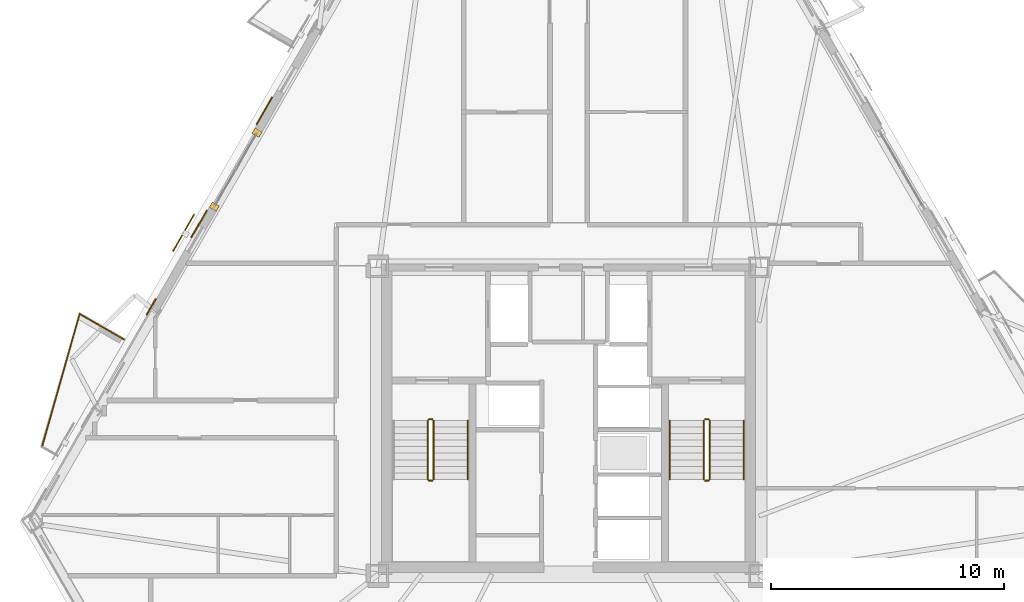
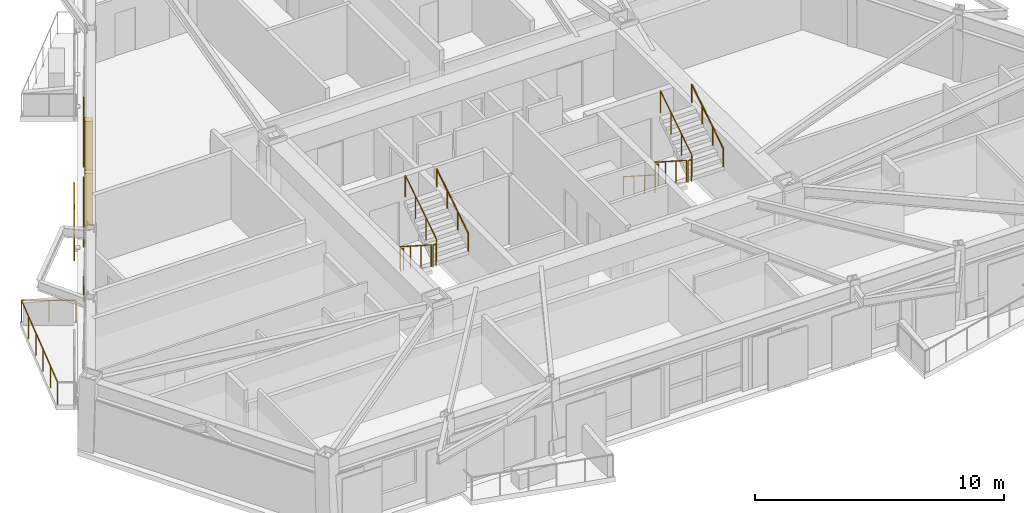
# One storey, part 14 of 16: 13 railings, 5 coverings, 1 shading device.
"""IFC4 building model written with IfcOpenShell, lengths in metres."""

from ifc_helpers import new_model, si_unit, direction, frame, origin, origin_2d, place, context, subcontext, project, spatial, rectangle, circle, extrude, material, layer, layer_set, type_object, element, save


model = new_model("IFC4")

# Units and contexts
model_context = context("Model", 3, precision=1e-05, world=origin(), true_north=direction((0.0, 1.0)))
body_context = subcontext(model_context, "Body", "Model", "MODEL_VIEW")
ifc_project = project(units=[si_unit("LENGTHUNIT", "METRE"), si_unit("AREAUNIT", "SQUARE_METRE"), si_unit("VOLUMEUNIT", "CUBIC_METRE"), si_unit("PLANEANGLEUNIT", "RADIAN"), si_unit("MASSUNIT", "GRAM", prefix="KILO")], contexts=[model_context])

# Site, building, storey
site_placement = place(None, origin())
site = spatial("IfcSite", under=ifc_project, at=site_placement, CompositionType="ELEMENT")
building_placement = place(site_placement, origin())
building = spatial("IfcBuilding", under=site, at=building_placement, Name="Oramaril Tower", CompositionType="ELEMENT")
storey_placement = place(building_placement, frame((0.0, 0.0, 115.800048828125)))
storey = spatial("IfcBuildingStorey", under=building, at=storey_placement, Name="L30", CompositionType="ELEMENT", Elevation=115.800048828125)

# Coverings
ifc_material_1 = material(Name="Warm Cream Limestone", Category="masonry")
ifc_layer = layer(ifc_material_1, 0.050048828125)
ifc_layer_set = layer_set([ifc_layer], Name="CVT-CLD")
covering_type = type_object("IfcCoveringType", Name="CVT-CLD", PredefinedType="CLADDING", material=ifc_layer_set)
for number, where, z_axis, x_axis, name in (
    (1, (24.15087890625, 29.920166015625, 0.0), (0.0, 0.0, 1.0), (-0.5, -0.866025403784, 0.0), "L30 Curtain Wall Limestone Jamb Closure"),
    (2, (22.32080078125, 26.75048828125, 0.0), (0.0, 0.0, 1.0), (-0.5, -0.866025403784, 0.0), "L30 Curtain Wall Limestone Jamb Closure"),
):
    element("IfcCovering", number, at=place(storey_placement, frame(where, z_axis=z_axis, x_axis=x_axis)), inside=storey, type_object=covering_type, Name=name, PredefinedType="CLADDING", context=body_context, shape_type="SweptSolid", body=[
        extrude(rectangle(XDim=0.260009765625, YDim=0.340087890625, at=origin_2d()), origin(), (0.0, 0.0, 1.0), 2.577880859375),
    ])
for number, where, z_axis, x_axis, name in (
    (3, (24.46875, 30.856689453125, 0.0400390625), (0.0, 0.0, 1.0), (-0.4999984885, -0.866026276448, 0.0), "L30 Warm Cream Limestone Cladding"),
    (4, (21.668701171875, 26.007080078125, 0.0400390625), (0.0, 0.0, 1.0), (-0.4999984885, -0.866026276448, 0.0), "L30 Warm Cream Limestone Cladding"),
):
    element("IfcCovering", number, at=place(storey_placement, frame(where, z_axis=z_axis, x_axis=x_axis)), inside=storey, type_object=covering_type, Name=name, PredefinedType="CLADDING", context=body_context, shape_type="SweptSolid", body=[
        extrude(rectangle(XDim=1.35009765625, YDim=0.050048828125, at=origin_2d()), origin(), (0.0, 0.0, 1.0), 2.498046875),
    ])
covering_placement = place(storey_placement, frame((19.61962890625, 22.457763671875, 0.0400390625), z_axis=(0.0, 0.0, 1.0), x_axis=(-0.4999984885, -0.866026276448, 0.0)))
element("IfcCovering", 5, at=covering_placement, inside=storey, type_object=covering_type, Name="L30 Warm Cream Limestone Spandrel Cladding", PredefinedType="CLADDING", context=body_context, shape_type="SweptSolid", body=[
    extrude(rectangle(XDim=0.800048828125, YDim=0.050048828125, at=origin_2d()), origin(), (0.0, 0.0, 1.0), 0.679931640625),
])

# Railings
ifc_material_2 = material(Name="Stainless Steel 316L", Category="steel")
railing_type_1 = type_object("IfcRailingType", Name="RLT-GRD", PredefinedType="GUARDRAIL", material=ifc_material_2)
railing_1_placement = place(storey_placement, frame((14.944091796875, 16.473388671875, 0.0)))
element("IfcRailing", 6, at=railing_1_placement, inside=storey, type_object=railing_type_1, Name="L30 Balcony Guardrail L30-BAL-NW2.2", PredefinedType="GUARDRAIL", context=body_context, shape_type="SweptSolid", body=[
    extrude(circle(Radius=0.02392578125, at=origin_2d()), frame((0.0, 0.0, 1.076171875), z_axis=(0.27224886544, 0.962226873074, 0.0), x_axis=(-0.962226873074, 0.27224886544, 0.0)), (0.0, 0.0, 1.0), 5.910400390625),
    extrude(circle(Radius=0.02099609375, at=origin_2d()), origin(), (0.0, 0.0, 1.0), 1.052001953125),
    extrude(circle(Radius=0.02099609375, at=origin_2d()), frame((0.32177734375, 1.137451171875, 0.0)), (0.0, 0.0, 1.0), 1.052001953125),
    extrude(circle(Radius=0.02099609375, at=origin_2d()), frame((0.6435546875, 2.27490234375, 0.0)), (0.0, 0.0, 1.0), 1.052001953125),
    extrude(circle(Radius=0.02099609375, at=origin_2d()), frame((0.965576171875, 3.412353515625, 0.0)), (0.0, 0.0, 1.0), 1.052001953125),
    extrude(circle(Radius=0.02099609375, at=origin_2d()), frame((1.287353515625, 4.5498046875, 0.0)), (0.0, 0.0, 1.0), 1.052001953125),
    extrude(circle(Radius=0.02099609375, at=origin_2d()), frame((1.609130859375, 5.687255859375, 0.0)), (0.0, 0.0, 1.0), 1.052001953125),
])
railing_2_placement = place(storey_placement, frame((16.55322265625, 22.16064453125, 0.0)))
element("IfcRailing", 7, at=railing_2_placement, inside=storey, type_object=railing_type_1, Name="L30 Balcony Guardrail L30-BAL-NW2.3", PredefinedType="GUARDRAIL", context=body_context, shape_type="SweptSolid", body=[
    extrude(circle(Radius=0.02392578125, at=origin_2d()), frame((0.0, 0.0, 1.076171875), z_axis=(0.866048343933, -0.499960264392, 0.0), x_axis=(0.499960264392, 0.866048343933, 0.0)), (0.0, 0.0, 1.0), 2.192138671875),
    extrude(circle(Radius=0.02099609375, at=origin_2d()), origin(), (0.0, 0.0, 1.0), 1.052001953125),
    extrude(circle(Radius=0.02099609375, at=origin_2d()), frame((0.94921875, -0.5478515625, 0.0)), (0.0, 0.0, 1.0), 1.052001953125),
    extrude(circle(Radius=0.02099609375, at=origin_2d()), frame((1.8984375, -1.095947265625, 0.0)), (0.0, 0.0, 1.0), 1.052001953125),
])
railing_3_placement = place(storey_placement, frame((31.4599609375, 17.590087890625, 0.179931640625)))
element("IfcRailing", 8, at=railing_3_placement, inside=storey, type_object=railing_type_1, Name="L30 ST-1 stair guard 1", PredefinedType="GUARDRAIL", context=body_context, shape_type="SweptSolid", body=[
    extrude(circle(Radius=0.02392578125, at=origin_2d()), frame((0.0, 0.0, 1.076171875), z_axis=(0.0, -0.841162588446, 0.540782303519), x_axis=(1.0, 0.0, 0.0)), (0.0, 0.0, 1.0), 2.995849609375),
    extrude(circle(Radius=0.02099609375, at=origin_2d()), origin(), (0.0, 0.0, 1.0), 1.052001953125),
    extrude(circle(Radius=0.02099609375, at=origin_2d()), frame((0.0, -0.840087890625, 0.5400390625)), (0.0, 0.0, 1.0), 1.052001953125),
    extrude(circle(Radius=0.02099609375, at=origin_2d()), frame((0.0, -1.679931640625, 1.080078125)), (0.0, 0.0, 1.0), 1.052001953125),
    extrude(circle(Radius=0.02099609375, at=origin_2d()), frame((0.0, -2.52001953125, 1.6201171875)), (0.0, 0.0, 1.0), 1.052001953125),
])
railing_4_placement = place(storey_placement, frame((31.510009765625, 15.02001953125, 1.800048828125)))
element("IfcRailing", 9, at=railing_4_placement, inside=storey, type_object=railing_type_1, Name="L30 ST-1 stair guard 2", PredefinedType="GUARDRAIL", context=body_context, shape_type="SweptSolid", body=[
    extrude(circle(Radius=0.02392578125, at=origin_2d()), frame((0.0, 0.0, 1.076171875), z_axis=(1.0, 0.0, 0.0), x_axis=(0.0, 1.0, 0.0)), (0.0, 0.0, 1.0), 0.14990234375),
    extrude(circle(Radius=0.02099609375, at=origin_2d()), origin(), (0.0, 0.0, 1.0), 1.052001953125),
    extrude(circle(Radius=0.02099609375, at=origin_2d()), frame((0.14990234375, 0.0, 0.0)), (0.0, 0.0, 1.0), 1.052001953125),
])
railing_5_placement = place(storey_placement, frame((31.7099609375, 15.070068359375, 1.97998046875)))
element("IfcRailing", 10, at=railing_5_placement, inside=storey, type_object=railing_type_1, Name="L30 ST-1 stair guard 3", PredefinedType="GUARDRAIL", context=body_context, shape_type="SweptSolid", body=[
    extrude(circle(Radius=0.02392578125, at=origin_2d()), frame((0.0, 0.0, 1.076171875), z_axis=(0.0, 0.841199657755, 0.540724639528), x_axis=(-1.0, 0.0, 0.0)), (0.0, 0.0, 1.0), 2.995849609375),
    extrude(circle(Radius=0.02099609375, at=origin_2d()), origin(), (0.0, 0.0, 1.0), 1.052001953125),
    extrude(circle(Radius=0.02099609375, at=origin_2d()), frame((0.0, 0.840087890625, 0.5400390625)), (0.0, 0.0, 1.0), 1.052001953125),
    extrude(circle(Radius=0.02099609375, at=origin_2d()), frame((0.0, 1.679931640625, 1.079833984375)), (0.0, 0.0, 1.0), 1.052001953125),
    extrude(circle(Radius=0.02099609375, at=origin_2d()), frame((0.0, 2.52001953125, 1.619873046875)), (0.0, 0.0, 1.0), 1.052001953125),
])
railing_6_placement = place(storey_placement, frame((31.510009765625, 17.639892578125, 0.0)))
element("IfcRailing", 11, at=railing_6_placement, inside=storey, type_object=railing_type_1, Name="L30 ST-1 stair guard 4", PredefinedType="GUARDRAIL", context=body_context, shape_type="SweptSolid", body=[
    extrude(circle(Radius=0.02392578125, at=origin_2d()), frame((0.0, 0.0, 1.076171875), z_axis=(1.0, 0.0, 0.0), x_axis=(0.0, 1.0, 0.0)), (0.0, 0.0, 1.0), 0.14990234375),
    extrude(circle(Radius=0.02099609375, at=origin_2d()), origin(), (0.0, 0.0, 1.0), 1.052001953125),
    extrude(circle(Radius=0.02099609375, at=origin_2d()), frame((0.14990234375, 0.0, 0.0)), (0.0, 0.0, 1.0), 1.052001953125),
])
railing_7_placement = place(storey_placement, frame((43.2900390625, 17.590087890625, 0.179931640625)))
element("IfcRailing", 12, at=railing_7_placement, inside=storey, type_object=railing_type_1, Name="L30 ST-2 stair guard 1", PredefinedType="GUARDRAIL", context=body_context, shape_type="SweptSolid", body=[
    extrude(circle(Radius=0.02392578125, at=origin_2d()), frame((0.0, 0.0, 1.076171875), z_axis=(0.0, -0.841162588446, 0.540782303519), x_axis=(1.0, 0.0, 0.0)), (0.0, 0.0, 1.0), 2.995849609375),
    extrude(circle(Radius=0.02099609375, at=origin_2d()), origin(), (0.0, 0.0, 1.0), 1.052001953125),
    extrude(circle(Radius=0.02099609375, at=origin_2d()), frame((0.0, -0.840087890625, 0.5400390625)), (0.0, 0.0, 1.0), 1.052001953125),
    extrude(circle(Radius=0.02099609375, at=origin_2d()), frame((0.0, -1.679931640625, 1.080078125)), (0.0, 0.0, 1.0), 1.052001953125),
    extrude(circle(Radius=0.02099609375, at=origin_2d()), frame((0.0, -2.52001953125, 1.6201171875)), (0.0, 0.0, 1.0), 1.052001953125),
])
railing_8_placement = place(storey_placement, frame((43.340087890625, 15.02001953125, 1.800048828125)))
element("IfcRailing", 13, at=railing_8_placement, inside=storey, type_object=railing_type_1, Name="L30 ST-2 stair guard 2", PredefinedType="GUARDRAIL", context=body_context, shape_type="SweptSolid", body=[
    extrude(circle(Radius=0.02392578125, at=origin_2d()), frame((0.0, 0.0, 1.076171875), z_axis=(1.0, 0.0, 0.0), x_axis=(0.0, 1.0, 0.0)), (0.0, 0.0, 1.0), 0.14990234375),
    extrude(circle(Radius=0.02099609375, at=origin_2d()), origin(), (0.0, 0.0, 1.0), 1.052001953125),
    extrude(circle(Radius=0.02099609375, at=origin_2d()), frame((0.14990234375, 0.0, 0.0)), (0.0, 0.0, 1.0), 1.052001953125),
])
railing_9_placement = place(storey_placement, frame((43.5400390625, 15.070068359375, 1.97998046875)))
element("IfcRailing", 14, at=railing_9_placement, inside=storey, type_object=railing_type_1, Name="L30 ST-2 stair guard 3", PredefinedType="GUARDRAIL", context=body_context, shape_type="SweptSolid", body=[
    extrude(circle(Radius=0.02392578125, at=origin_2d()), frame((0.0, 0.0, 1.076171875), z_axis=(0.0, 0.841199657755, 0.540724639528), x_axis=(-1.0, 0.0, 0.0)), (0.0, 0.0, 1.0), 2.995849609375),
    extrude(circle(Radius=0.02099609375, at=origin_2d()), origin(), (0.0, 0.0, 1.0), 1.052001953125),
    extrude(circle(Radius=0.02099609375, at=origin_2d()), frame((0.0, 0.840087890625, 0.5400390625)), (0.0, 0.0, 1.0), 1.052001953125),
    extrude(circle(Radius=0.02099609375, at=origin_2d()), frame((0.0, 1.679931640625, 1.079833984375)), (0.0, 0.0, 1.0), 1.052001953125),
    extrude(circle(Radius=0.02099609375, at=origin_2d()), frame((0.0, 2.52001953125, 1.619873046875)), (0.0, 0.0, 1.0), 1.052001953125),
])
railing_10_placement = place(storey_placement, frame((43.340087890625, 17.639892578125, 0.0)))
element("IfcRailing", 15, at=railing_10_placement, inside=storey, type_object=railing_type_1, Name="L30 ST-2 stair guard 4", PredefinedType="GUARDRAIL", context=body_context, shape_type="SweptSolid", body=[
    extrude(circle(Radius=0.02392578125, at=origin_2d()), frame((0.0, 0.0, 1.076171875), z_axis=(1.0, 0.0, 0.0), x_axis=(0.0, 1.0, 0.0)), (0.0, 0.0, 1.0), 0.14990234375),
    extrude(circle(Radius=0.02099609375, at=origin_2d()), origin(), (0.0, 0.0, 1.0), 1.052001953125),
    extrude(circle(Radius=0.02099609375, at=origin_2d()), frame((0.14990234375, 0.0, 0.0)), (0.0, 0.0, 1.0), 1.052001953125),
])
ifc_material_3 = material(Name="Stainless Steel 316L", Category="steel")
railing_type_2 = type_object("IfcRailingType", Name="RLT-HND", PredefinedType="HANDRAIL", material=ifc_material_3)
railing_11_placement = place(storey_placement, frame((33.169921875, 15.070068359375, 1.97998046875)))
element("IfcRailing", 16, at=railing_11_placement, inside=storey, type_object=railing_type_2, Name="L30 ST-1 stair handrail 2", PredefinedType="HANDRAIL", context=body_context, shape_type="SweptSolid", body=[
    extrude(circle(Radius=0.02392578125, at=origin_2d()), frame((0.0, 0.0, 0.8759765625), z_axis=(0.0, 0.841199657755, 0.540724639528), x_axis=(-1.0, 0.0, 0.0)), (0.0, 0.0, 1.0), 2.995849609375),
    extrude(circle(Radius=0.02099609375, at=origin_2d()), origin(), (0.0, 0.0, 1.0), 0.851806640625),
    extrude(circle(Radius=0.02099609375, at=origin_2d()), frame((0.0, 0.840087890625, 0.5400390625)), (0.0, 0.0, 1.0), 0.851806640625),
    extrude(circle(Radius=0.02099609375, at=origin_2d()), frame((0.0, 1.679931640625, 1.079833984375)), (0.0, 0.0, 1.0), 0.851806640625),
    extrude(circle(Radius=0.02099609375, at=origin_2d()), frame((0.0, 2.52001953125, 1.619873046875)), (0.0, 0.0, 1.0), 0.851806640625),
])
railing_12_placement = place(storey_placement, frame((41.830078125, 17.590087890625, 0.179931640625)))
element("IfcRailing", 17, at=railing_12_placement, inside=storey, type_object=railing_type_2, Name="L30 ST-2 stair handrail 1", PredefinedType="HANDRAIL", context=body_context, shape_type="SweptSolid", body=[
    extrude(circle(Radius=0.02392578125, at=origin_2d()), frame((0.0, 0.0, 0.8759765625), z_axis=(0.0, -0.841162588446, 0.540782303519), x_axis=(1.0, 0.0, 0.0)), (0.0, 0.0, 1.0), 2.995849609375),
    extrude(circle(Radius=0.02099609375, at=origin_2d()), origin(), (0.0, 0.0, 1.0), 0.851806640625),
    extrude(circle(Radius=0.02099609375, at=origin_2d()), frame((0.0, -0.840087890625, 0.5400390625)), (0.0, 0.0, 1.0), 0.851806640625),
    extrude(circle(Radius=0.02099609375, at=origin_2d()), frame((0.0, -1.679931640625, 1.080078125)), (0.0, 0.0, 1.0), 0.851806640625),
    extrude(circle(Radius=0.02099609375, at=origin_2d()), frame((0.0, -2.52001953125, 1.6201171875)), (0.0, 0.0, 1.0), 0.851806640625),
])
railing_13_placement = place(storey_placement, frame((45.0, 15.070068359375, 1.97998046875)))
element("IfcRailing", 18, at=railing_13_placement, inside=storey, type_object=railing_type_2, Name="L30 ST-2 stair handrail 2", PredefinedType="HANDRAIL", context=body_context, shape_type="SweptSolid", body=[
    extrude(circle(Radius=0.02392578125, at=origin_2d()), frame((0.0, 0.0, 0.8759765625), z_axis=(0.0, 0.841199657755, 0.540724639528), x_axis=(-1.0, 0.0, 0.0)), (0.0, 0.0, 1.0), 2.995849609375),
    extrude(circle(Radius=0.02099609375, at=origin_2d()), origin(), (0.0, 0.0, 1.0), 0.851806640625),
    extrude(circle(Radius=0.02099609375, at=origin_2d()), frame((0.0, 0.840087890625, 0.5400390625)), (0.0, 0.0, 1.0), 0.851806640625),
    extrude(circle(Radius=0.02099609375, at=origin_2d()), frame((0.0, 1.679931640625, 1.079833984375)), (0.0, 0.0, 1.0), 0.851806640625),
    extrude(circle(Radius=0.02099609375, at=origin_2d()), frame((0.0, 2.52001953125, 1.619873046875)), (0.0, 0.0, 1.0), 0.851806640625),
])

# Shading device
shading_device_placement = place(storey_placement, frame((21.00634765625, 25.633544921875, -0.02001953125), z_axis=(0.0, 0.0, 1.0), x_axis=(-0.499995465495, -0.866028021766, 0.0)))
element("IfcShadingDevice", 19, at=shading_device_placement, inside=storey, Name="L30 Perforated Ceramic Solar Screen", ObjectType="SCREEN", PredefinedType="USERDEFINED", context=body_context, shape_type="SweptSolid", body=[
    extrude(rectangle(XDim=1.8330078125, YDim=0.050048828125, at=origin_2d()), origin(), (0.0, 0.0, 1.0), 2.577880859375),
])

save(model, "model.ifc")
